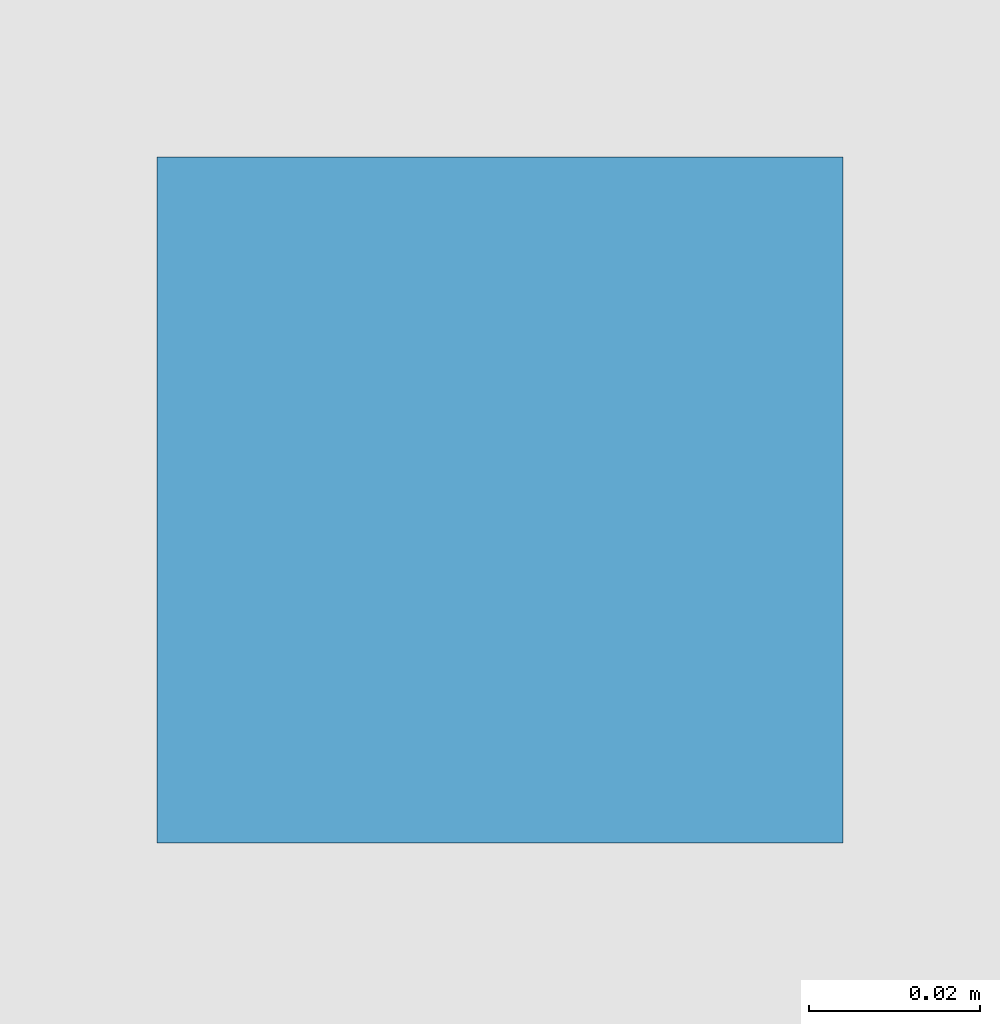
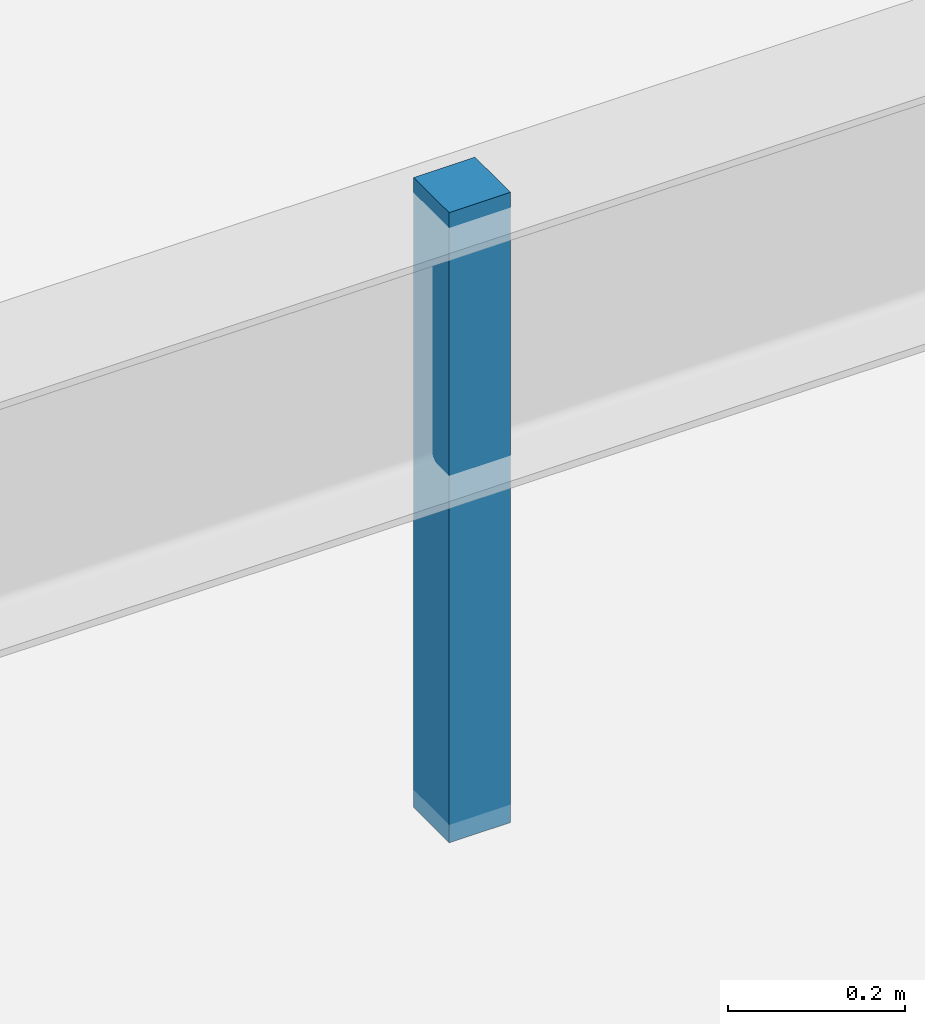
# One storey, part 70 of 78: 1 discrete accessory.
"""IFC4 building model written with IfcOpenShell, lengths in metres."""

from ifc_helpers import new_model, si_unit, direction, frame, origin, origin_2d, place, context, subcontext, project, spatial, rectangle, extrude, material, type_object, element, save


model = new_model("IFC4")

# Units and contexts
model_context = context("Model", 3, precision=1e-05, world=origin(), true_north=direction((0.0, 1.0)))
body_context = subcontext(model_context, "Body", "Model", "MODEL_VIEW")
ifc_project = project(units=[si_unit("LENGTHUNIT", "METRE"), si_unit("AREAUNIT", "SQUARE_METRE"), si_unit("VOLUMEUNIT", "CUBIC_METRE"), si_unit("PLANEANGLEUNIT", "RADIAN"), si_unit("MASSUNIT", "GRAM", prefix="KILO")], contexts=[model_context])

# Site, building, storey
site_placement = place(None, origin())
site = spatial("IfcSite", under=ifc_project, at=site_placement, CompositionType="ELEMENT")
building_placement = place(site_placement, origin())
building = spatial("IfcBuilding", under=site, at=building_placement, Name="Solmirada Galleria", CompositionType="ELEMENT")
storey_placement = place(building_placement, frame((0.0, 0.0, 23.89990234375)))
storey = spatial("IfcBuildingStorey", under=building, at=storey_placement, Name="L05", CompositionType="ELEMENT", Elevation=23.89990234375)

# Discrete accessory
ifc_material = material(Name="Steel S355 / ASTM A992 Grade 50", Category="steel")
discrete_accessory_type = type_object("IfcDiscreteAccessoryType", Name="ACC-CEIL-HANGER", PredefinedType="BRACKET", material=ifc_material)
discrete_accessory_placement = place(storey_placement, frame((140.0, 92.0, 3.449951171875), z_axis=(0.0, 0.0, 1.0), x_axis=(1.0, 0.0, 0.0)))
element("IfcDiscreteAccessory", 1, at=discrete_accessory_placement, inside=storey, type_object=discrete_accessory_type, Name="Ceiling suspension hanger L05-3", PredefinedType="BRACKET", context=body_context, shape_type="SweptSolid", body=[
    extrude(rectangle(XDim=0.080078125, YDim=0.080078125, at=origin_2d()), origin(), (0.0, 0.0, 1.0), 0.8701171875),
])

save(model, "model.ifc")
